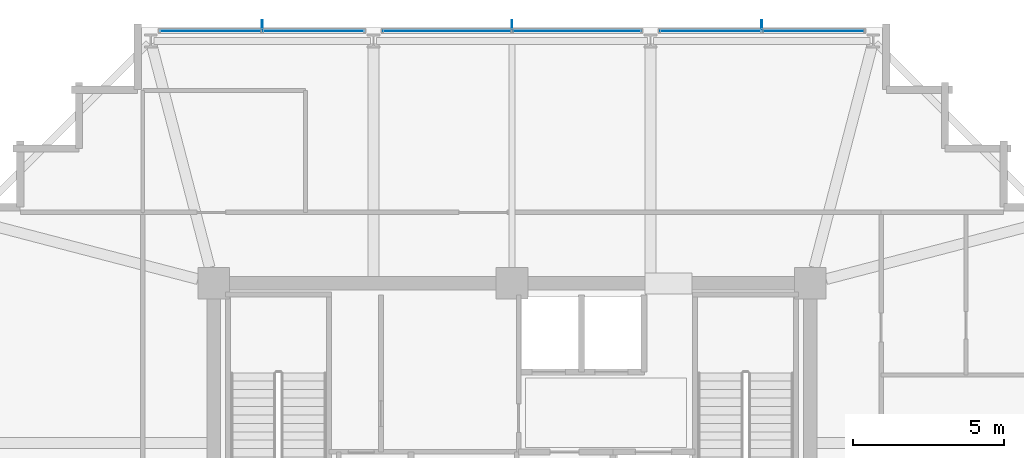
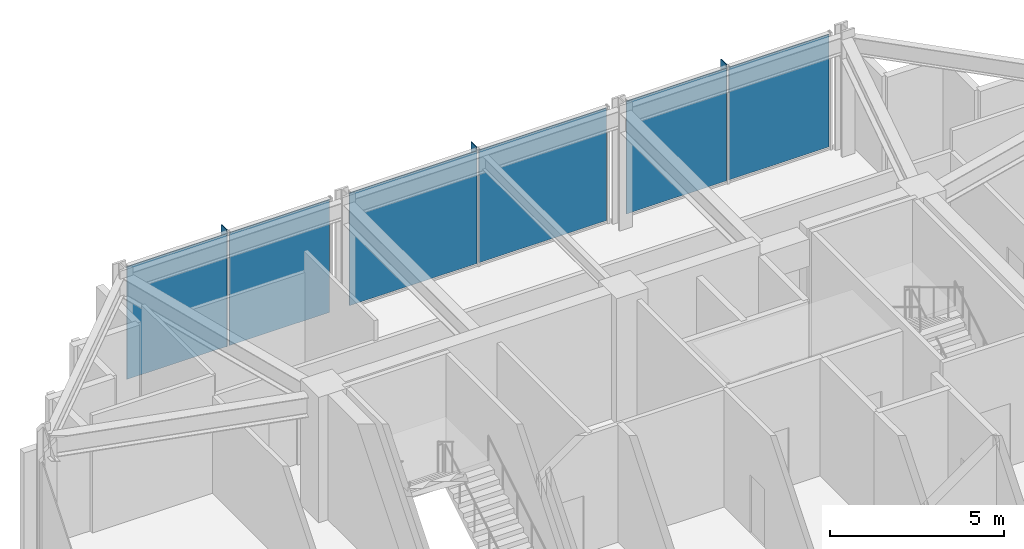
# One storey, part 22 of 26: 9 plates, 3 elements without a shape of their own.
"""IFC4 building model written with IfcOpenShell, lengths in metres."""

from ifc_helpers import new_model, si_unit, direction, frame, origin, origin_2d, place, context, subcontext, project, spatial, rectangle, extrude, material, layer, layer_set, type_object, element, aggregate, save


model = new_model("IFC4")

# Units and contexts
model_context = context("Model", 3, precision=1e-05, world=origin(), true_north=direction((0.0, 1.0)))
body_context = subcontext(model_context, "Body", "Model", "MODEL_VIEW")
ifc_project = project(units=[si_unit("LENGTHUNIT", "METRE"), si_unit("AREAUNIT", "SQUARE_METRE"), si_unit("VOLUMEUNIT", "CUBIC_METRE"), si_unit("PLANEANGLEUNIT", "RADIAN"), si_unit("MASSUNIT", "GRAM", prefix="KILO")], contexts=[model_context])

# Site, building, storey
site_placement = place(None, origin())
site = spatial("IfcSite", under=ifc_project, at=site_placement, CompositionType="ELEMENT")
building_placement = place(site_placement, origin())
building = spatial("IfcBuilding", under=site, at=building_placement, Name="Kolvaren Belvedere", CompositionType="ELEMENT")
storey_placement = place(building_placement, frame((0.0, 0.0, 258.39990234375)))
storey = spatial("IfcBuildingStorey", under=building, at=storey_placement, Name="L75", CompositionType="ELEMENT", Elevation=258.39990234375)

# Curtain wall, plates
ifc_material_1 = material(Name="Anodised pale-metal aluminium AA 6063-T6", Category="aluminium")
curtain_wall_type = type_object("IfcCurtainWallType", Name="CW-CRN-OBS", PredefinedType="NOTDEFINED", material=ifc_material_1)
curtain_wall_1_placement = place(storey_placement, origin())
curtain_wall_1 = element("IfcCurtainWall", 1, at=curtain_wall_1_placement, inside=storey, type_object=curtain_wall_type, Name="L75 Unitised Curtain Wall FCW-L75-N-B1", PredefinedType="NOTDEFINED")
ifc_material_2 = material(Name="Low-iron laminated vision glass", Category="glass")
ifc_layer_1 = layer(ifc_material_2, 0.031982421875)
ifc_layer_set_1 = layer_set([ifc_layer_1], Name="Low-iron laminated vision glass")
plate_type_1 = type_object("IfcPlateType", Name="CW-PNL-VIS32", PredefinedType="CURTAIN_PANEL", material=ifc_layer_set_1)
plate_1_placement = place(storey_placement, frame((-10.0048828125, 18.280029296875, 0.080078125), z_axis=(0.0, 0.0, 1.0), x_axis=(1.0, 0.0, 0.0)))
plate_1 = element("IfcPlate", 2, at=plate_1_placement, type_object=plate_type_1, Name="FCW-L75-N-B1 Vision Glazing Panel 1", PredefinedType="CURTAIN_PANEL", context=body_context, shape_type="SweptSolid", body=[
    extrude(rectangle(XDim=3.330078125, YDim=0.031982421875, at=origin_2d()), origin(), (0.0, 0.0, 1.0), 3.9599609375),
])
plate_2_placement = place(storey_placement, frame((-6.594970703125, 18.280029296875, 0.080078125), z_axis=(0.0, 0.0, 1.0), x_axis=(1.0, 0.0, 0.0)))
plate_2 = element("IfcPlate", 3, at=plate_2_placement, type_object=plate_type_1, Name="FCW-L75-N-B1 Vision Glazing Panel 2", PredefinedType="CURTAIN_PANEL", context=body_context, shape_type="SweptSolid", body=[
    extrude(rectangle(XDim=3.330078125, YDim=0.031982421875, at=origin_2d()), origin(), (0.0, 0.0, 1.0), 3.9599609375),
])
aggregate(curtain_wall_1, [plate_1, plate_2])

curtain_wall_2_placement = place(storey_placement, origin())
curtain_wall_2 = element("IfcCurtainWall", 4, at=curtain_wall_2_placement, inside=storey, type_object=curtain_wall_type, Name="L75 Unitised Curtain Wall FCW-L75-N-B2", PredefinedType="NOTDEFINED")
plate_3_placement = place(storey_placement, frame((-2.155029296875, 18.280029296875, 0.080078125), z_axis=(0.0, 0.0, 1.0), x_axis=(1.0, 0.0, 0.0)))
plate_3 = element("IfcPlate", 5, at=plate_3_placement, type_object=plate_type_1, Name="FCW-L75-N-B2 Vision Glazing Panel 1", PredefinedType="CURTAIN_PANEL", context=body_context, shape_type="SweptSolid", body=[
    extrude(rectangle(XDim=4.22998046875, YDim=0.031982421875, at=origin_2d()), origin(), (0.0, 0.0, 1.0), 3.9599609375),
])
plate_4_placement = place(storey_placement, frame((2.155029296875, 18.280029296875, 0.080078125), z_axis=(0.0, 0.0, 1.0), x_axis=(1.0, 0.0, 0.0)))
plate_4 = element("IfcPlate", 6, at=plate_4_placement, type_object=plate_type_1, Name="FCW-L75-N-B2 Vision Glazing Panel 2", PredefinedType="CURTAIN_PANEL", context=body_context, shape_type="SweptSolid", body=[
    extrude(rectangle(XDim=4.22998046875, YDim=0.031982421875, at=origin_2d()), origin(), (0.0, 0.0, 1.0), 3.9599609375),
])
aggregate(curtain_wall_2, [plate_3, plate_4])

curtain_wall_3_placement = place(storey_placement, origin())
curtain_wall_3 = element("IfcCurtainWall", 7, at=curtain_wall_3_placement, inside=storey, type_object=curtain_wall_type, Name="L75 Unitised Curtain Wall FCW-L75-N-B3", PredefinedType="NOTDEFINED")
plate_5_placement = place(storey_placement, frame((6.594970703125, 18.280029296875, 0.080078125), z_axis=(0.0, 0.0, 1.0), x_axis=(1.0, 0.0, 0.0)))
plate_5 = element("IfcPlate", 8, at=plate_5_placement, type_object=plate_type_1, Name="FCW-L75-N-B3 Vision Glazing Panel 1", PredefinedType="CURTAIN_PANEL", context=body_context, shape_type="SweptSolid", body=[
    extrude(rectangle(XDim=3.330078125, YDim=0.031982421875, at=origin_2d()), origin(), (0.0, 0.0, 1.0), 3.9599609375),
])
plate_6_placement = place(storey_placement, frame((10.0048828125, 18.280029296875, 0.080078125), z_axis=(0.0, 0.0, 1.0), x_axis=(1.0, 0.0, 0.0)))
plate_6 = element("IfcPlate", 9, at=plate_6_placement, type_object=plate_type_1, Name="FCW-L75-N-B3 Vision Glazing Panel 2", PredefinedType="CURTAIN_PANEL", context=body_context, shape_type="SweptSolid", body=[
    extrude(rectangle(XDim=3.330078125, YDim=0.031982421875, at=origin_2d()), origin(), (0.0, 0.0, 1.0), 3.9599609375),
])
aggregate(curtain_wall_3, [plate_5, plate_6])

# Plates
ifc_material_3 = material(Name="Anodised pale-metal aluminium AA 6063-T6", Category="aluminium")
ifc_layer_2 = layer(ifc_material_3, 0.030029296875)
ifc_layer_set_2 = layer_set([ifc_layer_2], Name="Anodised pale-metal aluminium AA 6063-T6")
plate_type_2 = type_object("IfcPlateType", Name="FIN-VERT-300", PredefinedType="USERDEFINED", material=ifc_layer_set_2)
for number, where, z_axis, x_axis, name in (
    (10, (-8.300048828125, 18.4951171875, 0.0), (0.0, 0.0, 1.0), (0.0, 1.0, 0.0), "L75 Pale-Metal Vertical Shading Fin FCW-L75-N-B1-1"),
    (11, (0.0, 18.4951171875, 0.0), (0.0, 0.0, 1.0), (0.0, 1.0, 0.0), "L75 Pale-Metal Vertical Shading Fin FCW-L75-N-B2-1"),
    (12, (8.300048828125, 18.4951171875, 0.0), (0.0, 0.0, 1.0), (0.0, 1.0, 0.0), "L75 Pale-Metal Vertical Shading Fin FCW-L75-N-B3-1"),
):
    element("IfcPlate", number, at=place(storey_placement, frame(where, z_axis=z_axis, x_axis=x_axis)), inside=storey, type_object=plate_type_2, Name=name, ObjectType="VERTICAL FIN", PredefinedType="USERDEFINED", context=body_context, shape_type="SweptSolid", body=[
        extrude(rectangle(XDim=0.300048828125, YDim=0.030029296875, at=origin_2d()), origin(), (0.0, 0.0, 1.0), 4.1201171875),
    ])

save(model, "model.ifc")
